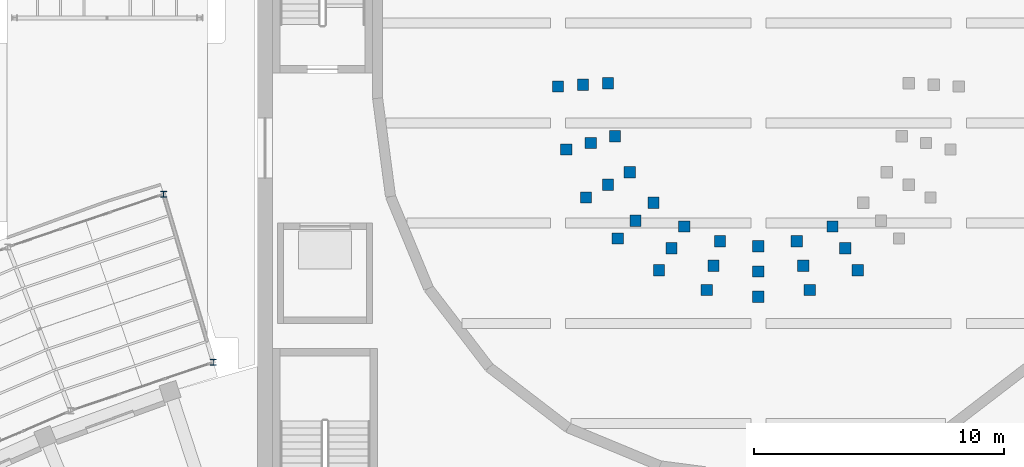
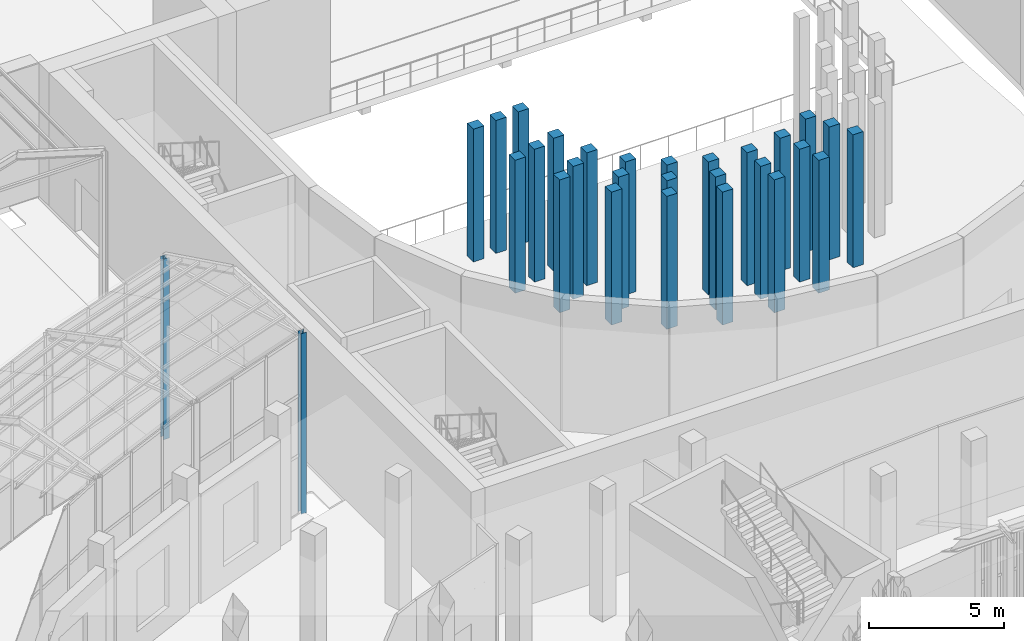
# One storey, part 11 of 155: 29 columns.
"""IFC4 building model written with IfcOpenShell, lengths in metres."""

from ifc_helpers import new_model, si_unit, direction, frame, origin, origin_2d, place, context, subcontext, project, spatial, rectangle, i_section, extrude, material, material_profile, profile_set, type_object, element, save


model = new_model("IFC4")

# Units and contexts
model_context = context("Model", 3, precision=1e-05, world=origin(), true_north=direction((0.0, 1.0)))
body_context = subcontext(model_context, "Body", "Model", "MODEL_VIEW")
ifc_project = project(units=[si_unit("LENGTHUNIT", "METRE"), si_unit("AREAUNIT", "SQUARE_METRE"), si_unit("VOLUMEUNIT", "CUBIC_METRE"), si_unit("PLANEANGLEUNIT", "RADIAN"), si_unit("MASSUNIT", "GRAM", prefix="KILO")], contexts=[model_context])

# Site, building, storey
site_placement = place(None, origin())
site = spatial("IfcSite", under=ifc_project, at=site_placement, CompositionType="ELEMENT")
building_placement = place(site_placement, origin())
building = spatial("IfcBuilding", under=site, at=building_placement, Name="Lunette Opera House", CompositionType="ELEMENT")
storey_placement = place(building_placement, origin())
storey = spatial("IfcBuildingStorey", under=building, at=storey_placement, Name="L00", CompositionType="ELEMENT", Elevation=0.0)

# Columns
ifc_material_1 = material(Name="Concrete C40/50", Category="concrete")
ifc_material_profile_1 = material_profile(ifc_material_1, rectangle(XDim=0.449951171875, YDim=0.449951171875, at=origin_2d()), Name="RC COLUMN 450X450")
ifc_profile_set_1 = profile_set([ifc_material_profile_1], Name="Concrete C40/50")
column_type_1 = type_object("IfcColumnType", Name="RC COLUMN 450X450", PredefinedType="COLUMN", material=ifc_profile_set_1)
for number, where, z_axis, x_axis, name in (
    (1, (90.0, 84.590087890625, 0.0), (0.0, 0.0, 1.0), (1.0, 0.0, 0.0), "col-AU-L00-TCL02-1"),
    (2, (90.279052734375, 82.467041015625, 0.0), (0.0, 0.0, 1.0), (1.0, 0.0, 0.0), "col-AU-L00-TCL02-2"),
    (3, (90.87109375, 81.0390625, 0.0), (0.0, 0.0, 1.0), (1.0, 0.0, 0.0), "col-AU-L00-TCL02-3"),
    (4, (91.81201171875, 79.81201171875, 0.0), (0.0, 0.0, 1.0), (1.0, 0.0, 0.0), "col-AU-L00-TCL02-4"),
    (5, (93.0390625, 78.87109375, 0.0), (0.0, 0.0, 1.0), (1.0, 0.0, 0.0), "col-AU-L00-TCL02-5"),
    (6, (94.467041015625, 78.279052734375, 0.0), (0.0, 0.0, 1.0), (1.0, 0.0, 0.0), "col-AU-L00-TCL02-6"),
    (7, (96.0, 78.077880859375, 0.0), (0.0, 0.0, 1.0), (1.0, 0.0, 0.0), "col-AU-L00-TCL02-7"),
    (8, (97.532958984375, 78.279052734375, 0.0), (0.0, 0.0, 1.0), (1.0, 0.0, 0.0), "col-AU-L00-TCL02-8"),
    (9, (98.9609375, 78.87109375, 0.0), (0.0, 0.0, 1.0), (1.0, 0.0, 0.0), "col-AU-L00-TCL02-9"),
    (10, (89.0, 84.52392578125, 0.0), (0.0, 0.0, 1.0), (1.0, 0.0, 0.0), "col-AU-L00-TCL03-1"),
    (11, (89.304931640625, 82.2060546875, 0.0), (0.0, 0.0, 1.0), (1.0, 0.0, 0.0), "col-AU-L00-TCL03-2"),
    (12, (89.998046875, 80.534912109375, 0.0), (0.0, 0.0, 1.0), (1.0, 0.0, 0.0), "col-AU-L00-TCL03-3"),
    (13, (91.09912109375, 79.09912109375, 0.0), (0.0, 0.0, 1.0), (1.0, 0.0, 0.0), "col-AU-L00-TCL03-4"),
    (14, (92.534912109375, 77.998046875, 0.0), (0.0, 0.0, 1.0), (1.0, 0.0, 0.0), "col-AU-L00-TCL03-5"),
    (15, (94.2060546875, 77.304931640625, 0.0), (0.0, 0.0, 1.0), (1.0, 0.0, 0.0), "col-AU-L00-TCL03-6"),
    (16, (96.0, 77.069091796875, 0.0), (0.0, 0.0, 1.0), (1.0, 0.0, 0.0), "col-AU-L00-TCL03-7"),
    (17, (97.7939453125, 77.304931640625, 0.0), (0.0, 0.0, 1.0), (1.0, 0.0, 0.0), "col-AU-L00-TCL03-8"),
    (18, (99.465087890625, 77.998046875, 0.0), (0.0, 0.0, 1.0), (1.0, 0.0, 0.0), "col-AU-L00-TCL03-9"),
    (19, (88.0, 84.458984375, 0.0), (0.0, 0.0, 1.0), (1.0, 0.0, 0.0), "col-AU-L00-TCL04-1"),
    (20, (88.3310546875, 81.945068359375, 0.0), (0.0, 0.0, 1.0), (1.0, 0.0, 0.0), "col-AU-L00-TCL04-2"),
    (21, (89.1240234375, 80.030029296875, 0.0), (0.0, 0.0, 1.0), (1.0, 0.0, 0.0), "col-AU-L00-TCL04-3"),
    (22, (90.385986328125, 78.385986328125, 0.0), (0.0, 0.0, 1.0), (1.0, 0.0, 0.0), "col-AU-L00-TCL04-4"),
    (23, (92.030029296875, 77.1240234375, 0.0), (0.0, 0.0, 1.0), (1.0, 0.0, 0.0), "col-AU-L00-TCL04-5"),
    (24, (93.945068359375, 76.3310546875, 0.0), (0.0, 0.0, 1.0), (1.0, 0.0, 0.0), "col-AU-L00-TCL04-6"),
    (25, (96.0, 76.06005859375, 0.0), (0.0, 0.0, 1.0), (1.0, 0.0, 0.0), "col-AU-L00-TCL04-7"),
    (26, (98.054931640625, 76.3310546875, 0.0), (0.0, 0.0, 1.0), (1.0, 0.0, 0.0), "col-AU-L00-TCL04-8"),
    (27, (99.969970703125, 77.1240234375, 0.0), (0.0, 0.0, 1.0), (1.0, 0.0, 0.0), "col-AU-L00-TCL04-9"),
):
    element("IfcColumn", number, at=place(storey_placement, frame(where, z_axis=z_axis, x_axis=x_axis)), inside=storey, type_object=column_type_1, Name=name, PredefinedType="COLUMN", context=body_context, shape_type="SweptSolid", body=[
        extrude(rectangle(XDim=0.449951171875, YDim=0.449951171875, at=origin_2d()), origin(), (0.0, 0.0, 1.0), 6.0),
    ])
ifc_material_2 = material(Name="Steel S355", Category="steel")
ifc_material_profile_2 = material_profile(ifc_material_2, i_section(OverallWidth=0.239990234375, OverallDepth=0.22998046875, WebThickness=0.007568359375, FlangeThickness=0.011962890625, FilletRadius=0.02099609375, at=origin_2d()), Name="HEA 240")
ifc_profile_set_2 = profile_set([ifc_material_profile_2], Name="Steel S355")
column_type_2 = type_object("IfcColumnType", Name="STEEL COLUMN HEA 240", PredefinedType="COLUMN", material=ifc_profile_set_2)
for number, where, z_axis, x_axis, name in (
    (28, (74.243896484375, 73.446044921875, 0.0), (0.0, 0.0, 1.0), (1.0, 0.0, 0.0), "col-PP-L00-PC-WI04"),
    (29, (72.256103515625, 80.156982421875, 0.0), (0.0, 0.0, 1.0), (1.0, 0.0, 0.0), "col-PP-L00-PC-WO04"),
):
    element("IfcColumn", number, at=place(storey_placement, frame(where, z_axis=z_axis, x_axis=x_axis)), inside=storey, type_object=column_type_2, Name=name, PredefinedType="COLUMN", context=body_context, shape_type="SweptSolid", body=[
        extrude(i_section(OverallWidth=0.239990234375, OverallDepth=0.22998046875, WebThickness=0.007568359375, FlangeThickness=0.011962890625, FilletRadius=0.02099609375, at=origin_2d()), origin(), (0.0, 0.0, 1.0), 8.14990234375),
    ])

save(model, "model.ifc")
